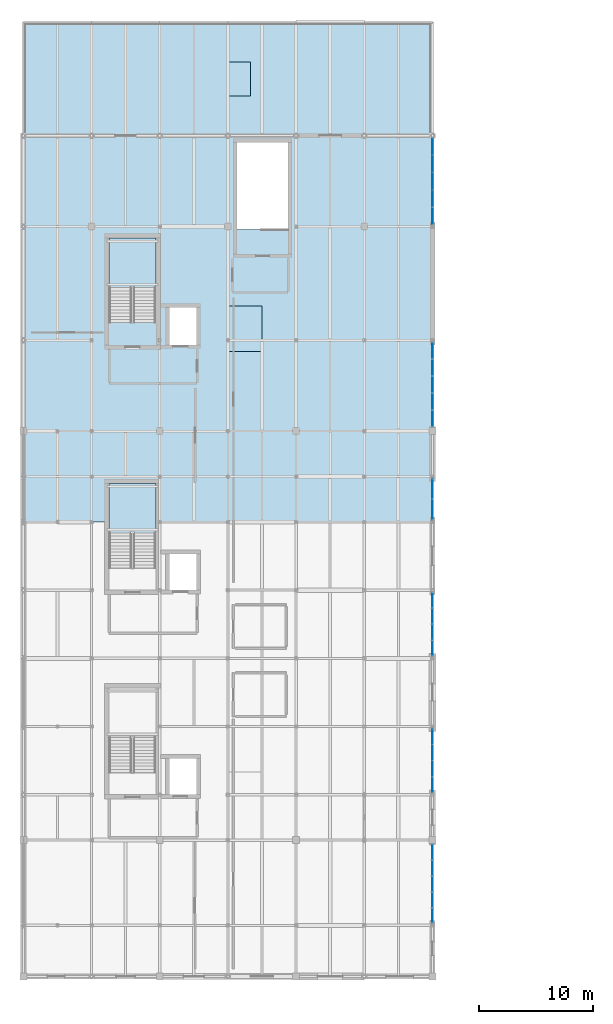
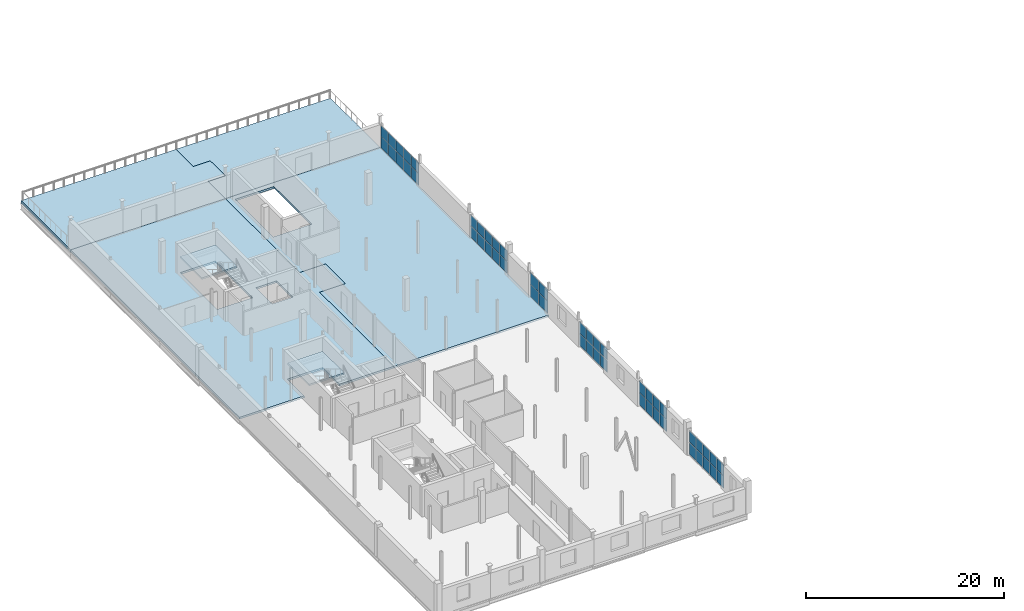
# One storey, part 24 of 35: 50 plates, 6 slabs, 8 elements without a shape of their own.
"""IFC4 building model written with IfcOpenShell, lengths in metres."""

from ifc_helpers import new_model, si_unit, direction, frame, origin, origin_2d, place, context, subcontext, project, spatial, polyline, rectangle, outline, extrude, material, layer, layer_set, type_object, element, aggregate, save


model = new_model("IFC4")

# Units and contexts
model_context = context("Model", 3, precision=1e-05, world=origin(), true_north=direction((0.0, 1.0)))
body_context = subcontext(model_context, "Body", "Model", "MODEL_VIEW")
ifc_project = project(units=[si_unit("LENGTHUNIT", "METRE"), si_unit("AREAUNIT", "SQUARE_METRE"), si_unit("VOLUMEUNIT", "CUBIC_METRE"), si_unit("PLANEANGLEUNIT", "RADIAN"), si_unit("MASSUNIT", "GRAM", prefix="KILO")], contexts=[model_context])

# Site, building, storey
site_placement = place(None, origin())
site = spatial("IfcSite", under=ifc_project, at=site_placement, CompositionType="ELEMENT")
building_placement = place(site_placement, origin())
building = spatial("IfcBuilding", under=site, at=building_placement, Name="Verrall Gate Interchange", CompositionType="ELEMENT")
storey_placement = place(building_placement, frame((0.0, 0.0, 15.39990234375)))
storey = spatial("IfcBuildingStorey", under=building, at=storey_placement, Name="L04", CompositionType="ELEMENT", Elevation=15.39990234375)

# Curtain wall, plates
ifc_material_1 = material(Name="Thermally Broken Anodized Aluminium Curtain Wall Framing", Category="aluminium")
curtain_wall_type_1 = type_object("IfcCurtainWallType", Name="CW-35 Unitized Curtain Wall 5682x3030", PredefinedType="NOTDEFINED", material=ifc_material_1)
curtain_wall_1_placement = place(storey_placement, origin())
curtain_wall_1 = element("IfcCurtainWall", 1, at=curtain_wall_1_placement, inside=storey, type_object=curtain_wall_type_1, Name="L04 Unitized Curtain Wall CW-L04-128", PredefinedType="NOTDEFINED")
ifc_material_2 = material(Name="Triple-Glazed Low-E Argon Insulated Curtain Panel (U=1.45)", Category="glass")
ifc_layer_1 = layer(ifc_material_2, 0.030029296875)
ifc_layer_set_1 = layer_set([ifc_layer_1], Name="Triple-Glazed Low-E Argon Insulated Curtain Panel (U=1.45)")
plate_type_1 = type_object("IfcPlateType", Name="CP-01 Curtain Glazing Panel 30", PredefinedType="CURTAIN_PANEL", material=ifc_layer_set_1)
plate_1_placement = place(storey_placement, frame((36.0, 16.885498046875, 0.0546875), z_axis=(0.0, 0.0, 1.0), x_axis=(0.0, 1.0, 0.0)))
plate_1 = element("IfcPlate", 2, at=plate_1_placement, type_object=plate_type_1, Name="CW-L04-128 Glazing Panel 1.1", PredefinedType="CURTAIN_PANEL", context=body_context, shape_type="SweptSolid", body=[
    extrude(rectangle(XDim=1.34375, YDim=0.030029296875, at=origin_2d()), origin(), (0.0, 0.0, 1.0), 1.498779296875),
])
plate_2_placement = place(storey_placement, frame((36.0, 16.885498046875, 1.59765625), z_axis=(0.0, 0.0, 1.0), x_axis=(0.0, 1.0, 0.0)))
plate_2 = element("IfcPlate", 3, at=plate_2_placement, type_object=plate_type_1, Name="CW-L04-128 Glazing Panel 1.2", PredefinedType="CURTAIN_PANEL", context=body_context, shape_type="SweptSolid", body=[
    extrude(rectangle(XDim=1.34375, YDim=0.030029296875, at=origin_2d()), origin(), (0.0, 0.0, 1.0), 1.377685546875),
])
plate_3_placement = place(storey_placement, frame((36.0, 18.289794921875, 0.0546875), z_axis=(0.0, 0.0, 1.0), x_axis=(0.0, 1.0, 0.0)))
plate_3 = element("IfcPlate", 4, at=plate_3_placement, type_object=plate_type_1, Name="CW-L04-128 Glazing Panel 2.1", PredefinedType="CURTAIN_PANEL", context=body_context, shape_type="SweptSolid", body=[
    extrude(rectangle(XDim=1.376220703125, YDim=0.030029296875, at=origin_2d()), origin(), (0.0, 0.0, 1.0), 1.498779296875),
])
plate_4_placement = place(storey_placement, frame((36.0, 18.289794921875, 1.59765625), z_axis=(0.0, 0.0, 1.0), x_axis=(0.0, 1.0, 0.0)))
plate_4 = element("IfcPlate", 5, at=plate_4_placement, type_object=plate_type_1, Name="CW-L04-128 Glazing Panel 2.2", PredefinedType="CURTAIN_PANEL", context=body_context, shape_type="SweptSolid", body=[
    extrude(rectangle(XDim=1.376220703125, YDim=0.030029296875, at=origin_2d()), origin(), (0.0, 0.0, 1.0), 1.377685546875),
])
plate_5_placement = place(storey_placement, frame((36.0, 19.710205078125, 0.0546875), z_axis=(0.0, 0.0, 1.0), x_axis=(0.0, 1.0, 0.0)))
plate_5 = element("IfcPlate", 6, at=plate_5_placement, type_object=plate_type_1, Name="CW-L04-128 Glazing Panel 3.1", PredefinedType="CURTAIN_PANEL", context=body_context, shape_type="SweptSolid", body=[
    extrude(rectangle(XDim=1.376220703125, YDim=0.030029296875, at=origin_2d()), origin(), (0.0, 0.0, 1.0), 1.498779296875),
])
plate_6_placement = place(storey_placement, frame((36.0, 19.710205078125, 1.59765625), z_axis=(0.0, 0.0, 1.0), x_axis=(0.0, 1.0, 0.0)))
plate_6 = element("IfcPlate", 7, at=plate_6_placement, type_object=plate_type_1, Name="CW-L04-128 Glazing Panel 3.2", PredefinedType="CURTAIN_PANEL", context=body_context, shape_type="SweptSolid", body=[
    extrude(rectangle(XDim=1.376220703125, YDim=0.030029296875, at=origin_2d()), origin(), (0.0, 0.0, 1.0), 1.377685546875),
])
plate_7_placement = place(storey_placement, frame((36.0, 21.114501953125, 0.0546875), z_axis=(0.0, 0.0, 1.0), x_axis=(0.0, 1.0, 0.0)))
plate_7 = element("IfcPlate", 8, at=plate_7_placement, type_object=plate_type_1, Name="CW-L04-128 Glazing Panel 4.1", PredefinedType="CURTAIN_PANEL", context=body_context, shape_type="SweptSolid", body=[
    extrude(rectangle(XDim=1.34375, YDim=0.030029296875, at=origin_2d()), origin(), (0.0, 0.0, 1.0), 1.498779296875),
])
plate_8_placement = place(storey_placement, frame((36.0, 21.114501953125, 1.59765625), z_axis=(0.0, 0.0, 1.0), x_axis=(0.0, 1.0, 0.0)))
plate_8 = element("IfcPlate", 9, at=plate_8_placement, type_object=plate_type_1, Name="CW-L04-128 Glazing Panel 4.2", PredefinedType="CURTAIN_PANEL", context=body_context, shape_type="SweptSolid", body=[
    extrude(rectangle(XDim=1.34375, YDim=0.030029296875, at=origin_2d()), origin(), (0.0, 0.0, 1.0), 1.377685546875),
])
aggregate(curtain_wall_1, [plate_1, plate_2, plate_3, plate_4, plate_5, plate_6, plate_7, plate_8])

curtain_wall_2_placement = place(storey_placement, origin())
curtain_wall_2 = element("IfcCurtainWall", 10, at=curtain_wall_2_placement, inside=storey, type_object=curtain_wall_type_1, Name="L04 Unitized Curtain Wall CW-L04-129", PredefinedType="NOTDEFINED")
plate_9_placement = place(storey_placement, frame((36.0, 28.887939453125, 0.06298828125), z_axis=(0.0, 0.0, 1.0), x_axis=(0.0, 1.0, 0.0)))
plate_9 = element("IfcPlate", 11, at=plate_9_placement, type_object=plate_type_1, Name="CW-L04-129 Glazing Panel 1.1", PredefinedType="CURTAIN_PANEL", context=body_context, shape_type="SweptSolid", body=[
    extrude(rectangle(XDim=1.33203125, YDim=0.030029296875, at=origin_2d()), origin(), (0.0, 0.0, 1.0), 1.487060546875),
])
plate_10_placement = place(storey_placement, frame((36.0, 28.887939453125, 1.60107421875), z_axis=(0.0, 0.0, 1.0), x_axis=(0.0, 1.0, 0.0)))
plate_10 = element("IfcPlate", 12, at=plate_10_placement, type_object=plate_type_1, Name="CW-L04-129 Glazing Panel 1.2", PredefinedType="CURTAIN_PANEL", context=body_context, shape_type="SweptSolid", body=[
    extrude(rectangle(XDim=1.33203125, YDim=0.030029296875, at=origin_2d()), origin(), (0.0, 0.0, 1.0), 1.365966796875),
])
plate_11_placement = place(storey_placement, frame((36.0, 30.289794921875, 0.06298828125), z_axis=(0.0, 0.0, 1.0), x_axis=(0.0, 1.0, 0.0)))
plate_11 = element("IfcPlate", 13, at=plate_11_placement, type_object=plate_type_1, Name="CW-L04-129 Glazing Panel 2.1", PredefinedType="CURTAIN_PANEL", context=body_context, shape_type="SweptSolid", body=[
    extrude(rectangle(XDim=1.369384765625, YDim=0.030029296875, at=origin_2d()), origin(), (0.0, 0.0, 1.0), 1.487060546875),
])
plate_12_placement = place(storey_placement, frame((36.0, 30.289794921875, 1.60107421875), z_axis=(0.0, 0.0, 1.0), x_axis=(0.0, 1.0, 0.0)))
plate_12 = element("IfcPlate", 14, at=plate_12_placement, type_object=plate_type_1, Name="CW-L04-129 Glazing Panel 2.2", PredefinedType="CURTAIN_PANEL", context=body_context, shape_type="SweptSolid", body=[
    extrude(rectangle(XDim=1.369384765625, YDim=0.030029296875, at=origin_2d()), origin(), (0.0, 0.0, 1.0), 1.365966796875),
])
plate_13_placement = place(storey_placement, frame((36.0, 31.710205078125, 0.06298828125), z_axis=(0.0, 0.0, 1.0), x_axis=(0.0, 1.0, 0.0)))
plate_13 = element("IfcPlate", 15, at=plate_13_placement, type_object=plate_type_1, Name="CW-L04-129 Glazing Panel 3.1", PredefinedType="CURTAIN_PANEL", context=body_context, shape_type="SweptSolid", body=[
    extrude(rectangle(XDim=1.369384765625, YDim=0.030029296875, at=origin_2d()), origin(), (0.0, 0.0, 1.0), 1.487060546875),
])
plate_14_placement = place(storey_placement, frame((36.0, 31.710205078125, 1.60107421875), z_axis=(0.0, 0.0, 1.0), x_axis=(0.0, 1.0, 0.0)))
plate_14 = element("IfcPlate", 16, at=plate_14_placement, type_object=plate_type_1, Name="CW-L04-129 Glazing Panel 3.2", PredefinedType="CURTAIN_PANEL", context=body_context, shape_type="SweptSolid", body=[
    extrude(rectangle(XDim=1.369384765625, YDim=0.030029296875, at=origin_2d()), origin(), (0.0, 0.0, 1.0), 1.365966796875),
])
plate_15_placement = place(storey_placement, frame((36.0, 33.112060546875, 0.06298828125), z_axis=(0.0, 0.0, 1.0), x_axis=(0.0, 1.0, 0.0)))
plate_15 = element("IfcPlate", 17, at=plate_15_placement, type_object=plate_type_1, Name="CW-L04-129 Glazing Panel 4.1", PredefinedType="CURTAIN_PANEL", context=body_context, shape_type="SweptSolid", body=[
    extrude(rectangle(XDim=1.33203125, YDim=0.030029296875, at=origin_2d()), origin(), (0.0, 0.0, 1.0), 1.487060546875),
])
plate_16_placement = place(storey_placement, frame((36.0, 33.112060546875, 1.60107421875), z_axis=(0.0, 0.0, 1.0), x_axis=(0.0, 1.0, 0.0)))
plate_16 = element("IfcPlate", 18, at=plate_16_placement, type_object=plate_type_1, Name="CW-L04-129 Glazing Panel 4.2", PredefinedType="CURTAIN_PANEL", context=body_context, shape_type="SweptSolid", body=[
    extrude(rectangle(XDim=1.33203125, YDim=0.030029296875, at=origin_2d()), origin(), (0.0, 0.0, 1.0), 1.365966796875),
])
aggregate(curtain_wall_2, [plate_9, plate_10, plate_11, plate_12, plate_13, plate_14, plate_15, plate_16])

ifc_material_3 = material(Name="Thermally Broken Anodized Aluminium Curtain Wall Framing", Category="aluminium")
curtain_wall_type_2 = type_object("IfcCurtainWallType", Name="CW-34 Unitized Curtain Wall 7682x2880", PredefinedType="NOTDEFINED", material=ifc_material_3)
curtain_wall_3_placement = place(storey_placement, origin())
curtain_wall_3 = element("IfcCurtainWall", 19, at=curtain_wall_3_placement, inside=storey, type_object=curtain_wall_type_2, Name="L04 Unitized Curtain Wall CW-L04-132", PredefinedType="NOTDEFINED")
plate_17_placement = place(storey_placement, frame((36.0, 66.943603515625, 0.0546875), z_axis=(0.0, 0.0, 1.0), x_axis=(0.0, 1.0, 0.0)))
plate_17 = element("IfcPlate", 20, at=plate_17_placement, type_object=plate_type_1, Name="CW-L04-132 Glazing Panel 1.1", PredefinedType="CURTAIN_PANEL", context=body_context, shape_type="SweptSolid", body=[
    extrude(rectangle(XDim=1.459716796875, YDim=0.030029296875, at=origin_2d()), origin(), (0.0, 0.0, 1.0), 1.4208984375),
])
plate_18_placement = place(storey_placement, frame((36.0, 66.943603515625, 1.519775390625), z_axis=(0.0, 0.0, 1.0), x_axis=(0.0, 1.0, 0.0)))
plate_18 = element("IfcPlate", 21, at=plate_18_placement, type_object=plate_type_1, Name="CW-L04-132 Glazing Panel 1.2", PredefinedType="CURTAIN_PANEL", context=body_context, shape_type="SweptSolid", body=[
    extrude(rectangle(XDim=1.459716796875, YDim=0.030029296875, at=origin_2d()), origin(), (0.0, 0.0, 1.0), 1.3056640625),
])
plate_19_placement = place(storey_placement, frame((36.0, 68.463623046875, 0.0546875), z_axis=(0.0, 0.0, 1.0), x_axis=(0.0, 1.0, 0.0)))
plate_19 = element("IfcPlate", 22, at=plate_19_placement, type_object=plate_type_1, Name="CW-L04-132 Glazing Panel 2.1", PredefinedType="CURTAIN_PANEL", context=body_context, shape_type="SweptSolid", body=[
    extrude(rectangle(XDim=1.4921875, YDim=0.030029296875, at=origin_2d()), origin(), (0.0, 0.0, 1.0), 1.4208984375),
])
plate_20_placement = place(storey_placement, frame((36.0, 68.463623046875, 1.519775390625), z_axis=(0.0, 0.0, 1.0), x_axis=(0.0, 1.0, 0.0)))
plate_20 = element("IfcPlate", 23, at=plate_20_placement, type_object=plate_type_1, Name="CW-L04-132 Glazing Panel 2.2", PredefinedType="CURTAIN_PANEL", context=body_context, shape_type="SweptSolid", body=[
    extrude(rectangle(XDim=1.4921875, YDim=0.030029296875, at=origin_2d()), origin(), (0.0, 0.0, 1.0), 1.3056640625),
])
plate_21_placement = place(storey_placement, frame((36.0, 70.0, 0.0546875), z_axis=(0.0, 0.0, 1.0), x_axis=(0.0, 1.0, 0.0)))
plate_21 = element("IfcPlate", 24, at=plate_21_placement, type_object=plate_type_1, Name="CW-L04-132 Glazing Panel 3.1", PredefinedType="CURTAIN_PANEL", context=body_context, shape_type="SweptSolid", body=[
    extrude(rectangle(XDim=1.4921875, YDim=0.030029296875, at=origin_2d()), origin(), (0.0, 0.0, 1.0), 1.4208984375),
])
plate_22_placement = place(storey_placement, frame((36.0, 70.0, 1.519775390625), z_axis=(0.0, 0.0, 1.0), x_axis=(0.0, 1.0, 0.0)))
plate_22 = element("IfcPlate", 25, at=plate_22_placement, type_object=plate_type_1, Name="CW-L04-132 Glazing Panel 3.2", PredefinedType="CURTAIN_PANEL", context=body_context, shape_type="SweptSolid", body=[
    extrude(rectangle(XDim=1.4921875, YDim=0.030029296875, at=origin_2d()), origin(), (0.0, 0.0, 1.0), 1.3056640625),
])
plate_23_placement = place(storey_placement, frame((36.0, 71.536376953125, 0.0546875), z_axis=(0.0, 0.0, 1.0), x_axis=(0.0, 1.0, 0.0)))
plate_23 = element("IfcPlate", 26, at=plate_23_placement, type_object=plate_type_1, Name="CW-L04-132 Glazing Panel 4.1", PredefinedType="CURTAIN_PANEL", context=body_context, shape_type="SweptSolid", body=[
    extrude(rectangle(XDim=1.4921875, YDim=0.030029296875, at=origin_2d()), origin(), (0.0, 0.0, 1.0), 1.4208984375),
])
plate_24_placement = place(storey_placement, frame((36.0, 71.536376953125, 1.519775390625), z_axis=(0.0, 0.0, 1.0), x_axis=(0.0, 1.0, 0.0)))
plate_24 = element("IfcPlate", 27, at=plate_24_placement, type_object=plate_type_1, Name="CW-L04-132 Glazing Panel 4.2", PredefinedType="CURTAIN_PANEL", context=body_context, shape_type="SweptSolid", body=[
    extrude(rectangle(XDim=1.4921875, YDim=0.030029296875, at=origin_2d()), origin(), (0.0, 0.0, 1.0), 1.3056640625),
])
plate_25_placement = place(storey_placement, frame((36.0, 73.056640625, 0.0546875), z_axis=(0.0, 0.0, 1.0), x_axis=(0.0, 1.0, 0.0)))
plate_25 = element("IfcPlate", 28, at=plate_25_placement, type_object=plate_type_1, Name="CW-L04-132 Glazing Panel 5.1", PredefinedType="CURTAIN_PANEL", context=body_context, shape_type="SweptSolid", body=[
    extrude(rectangle(XDim=1.459716796875, YDim=0.030029296875, at=origin_2d()), origin(), (0.0, 0.0, 1.0), 1.4208984375),
])
plate_26_placement = place(storey_placement, frame((36.0, 73.056640625, 1.519775390625), z_axis=(0.0, 0.0, 1.0), x_axis=(0.0, 1.0, 0.0)))
plate_26 = element("IfcPlate", 29, at=plate_26_placement, type_object=plate_type_1, Name="CW-L04-132 Glazing Panel 5.2", PredefinedType="CURTAIN_PANEL", context=body_context, shape_type="SweptSolid", body=[
    extrude(rectangle(XDim=1.459716796875, YDim=0.030029296875, at=origin_2d()), origin(), (0.0, 0.0, 1.0), 1.3056640625),
])
aggregate(curtain_wall_3, [plate_17, plate_18, plate_19, plate_20, plate_21, plate_22, plate_23, plate_24, plate_25, plate_26])

ifc_material_4 = material(Name="Thermally Broken Anodized Aluminium Curtain Wall Framing", Category="aluminium")
curtain_wall_type_3 = type_object("IfcCurtainWallType", Name="CW-40 Unitized Curtain Wall 7009x3030", PredefinedType="NOTDEFINED", material=ifc_material_4)
curtain_wall_4_placement = place(storey_placement, origin())
curtain_wall_4 = element("IfcCurtainWall", 30, at=curtain_wall_4_placement, inside=storey, type_object=curtain_wall_type_3, Name="L04 Unitized Curtain Wall CW-L04-127", PredefinedType="NOTDEFINED")
ifc_material_5 = material(Name="Triple-Glazed Low-E Argon Insulated Curtain Panel (U=1.45)", Category="glass")
ifc_layer_2 = layer(ifc_material_5, 0.0400390625)
ifc_layer_set_2 = layer_set([ifc_layer_2], Name="Triple-Glazed Low-E Argon Insulated Curtain Panel (U=1.45)")
plate_type_2 = type_object("IfcPlateType", Name="CP-02 Curtain Glazing Panel 40", PredefinedType="CURTAIN_PANEL", material=ifc_layer_set_2)
plate_27_placement = place(storey_placement, frame((36.0, 5.378662109375, 0.06298828125), z_axis=(0.0, 0.0, 1.0), x_axis=(0.0, 1.0, 0.0)))
plate_27 = element("IfcPlate", 31, at=plate_27_placement, type_object=plate_type_2, Name="CW-L04-127 Glazing Panel 1.1", PredefinedType="CURTAIN_PANEL", context=body_context, shape_type="SweptSolid", body=[
    extrude(rectangle(XDim=1.313232421875, YDim=0.0400390625, at=origin_2d()), origin(), (0.0, 0.0, 1.0), 1.487060546875),
])
plate_28_placement = place(storey_placement, frame((36.0, 5.378662109375, 1.60107421875), z_axis=(0.0, 0.0, 1.0), x_axis=(0.0, 1.0, 0.0)))
plate_28 = element("IfcPlate", 32, at=plate_28_placement, type_object=plate_type_2, Name="CW-L04-127 Glazing Panel 1.2", PredefinedType="CURTAIN_PANEL", context=body_context, shape_type="SweptSolid", body=[
    extrude(rectangle(XDim=1.313232421875, YDim=0.0400390625, at=origin_2d()), origin(), (0.0, 0.0, 1.0), 1.365966796875),
])
plate_29_placement = place(storey_placement, frame((36.0, 6.76171875, 0.06298828125), z_axis=(0.0, 0.0, 1.0), x_axis=(0.0, 1.0, 0.0)))
plate_29 = element("IfcPlate", 33, at=plate_29_placement, type_object=plate_type_2, Name="CW-L04-127 Glazing Panel 2.1", PredefinedType="CURTAIN_PANEL", context=body_context, shape_type="SweptSolid", body=[
    extrude(rectangle(XDim=1.350830078125, YDim=0.0400390625, at=origin_2d()), origin(), (0.0, 0.0, 1.0), 1.487060546875),
])
plate_30_placement = place(storey_placement, frame((36.0, 6.76171875, 1.60107421875), z_axis=(0.0, 0.0, 1.0), x_axis=(0.0, 1.0, 0.0)))
plate_30 = element("IfcPlate", 34, at=plate_30_placement, type_object=plate_type_2, Name="CW-L04-127 Glazing Panel 2.2", PredefinedType="CURTAIN_PANEL", context=body_context, shape_type="SweptSolid", body=[
    extrude(rectangle(XDim=1.350830078125, YDim=0.0400390625, at=origin_2d()), origin(), (0.0, 0.0, 1.0), 1.365966796875),
])
plate_31_placement = place(storey_placement, frame((36.0, 8.16357421875, 0.06298828125), z_axis=(0.0, 0.0, 1.0), x_axis=(0.0, 1.0, 0.0)))
plate_31 = element("IfcPlate", 35, at=plate_31_placement, type_object=plate_type_2, Name="CW-L04-127 Glazing Panel 3.1", PredefinedType="CURTAIN_PANEL", context=body_context, shape_type="SweptSolid", body=[
    extrude(rectangle(XDim=1.350830078125, YDim=0.0400390625, at=origin_2d()), origin(), (0.0, 0.0, 1.0), 1.487060546875),
])
plate_32_placement = place(storey_placement, frame((36.0, 8.16357421875, 1.60107421875), z_axis=(0.0, 0.0, 1.0), x_axis=(0.0, 1.0, 0.0)))
plate_32 = element("IfcPlate", 36, at=plate_32_placement, type_object=plate_type_2, Name="CW-L04-127 Glazing Panel 3.2", PredefinedType="CURTAIN_PANEL", context=body_context, shape_type="SweptSolid", body=[
    extrude(rectangle(XDim=1.350830078125, YDim=0.0400390625, at=origin_2d()), origin(), (0.0, 0.0, 1.0), 1.365966796875),
])
plate_33_placement = place(storey_placement, frame((36.0, 9.565185546875, 0.06298828125), z_axis=(0.0, 0.0, 1.0), x_axis=(0.0, 1.0, 0.0)))
plate_33 = element("IfcPlate", 37, at=plate_33_placement, type_object=plate_type_2, Name="CW-L04-127 Glazing Panel 4.1", PredefinedType="CURTAIN_PANEL", context=body_context, shape_type="SweptSolid", body=[
    extrude(rectangle(XDim=1.350830078125, YDim=0.0400390625, at=origin_2d()), origin(), (0.0, 0.0, 1.0), 1.487060546875),
])
plate_34_placement = place(storey_placement, frame((36.0, 9.565185546875, 1.60107421875), z_axis=(0.0, 0.0, 1.0), x_axis=(0.0, 1.0, 0.0)))
plate_34 = element("IfcPlate", 38, at=plate_34_placement, type_object=plate_type_2, Name="CW-L04-127 Glazing Panel 4.2", PredefinedType="CURTAIN_PANEL", context=body_context, shape_type="SweptSolid", body=[
    extrude(rectangle(XDim=1.350830078125, YDim=0.0400390625, at=origin_2d()), origin(), (0.0, 0.0, 1.0), 1.365966796875),
])
plate_35_placement = place(storey_placement, frame((36.0, 10.9482421875, 0.06298828125), z_axis=(0.0, 0.0, 1.0), x_axis=(0.0, 1.0, 0.0)))
plate_35 = element("IfcPlate", 39, at=plate_35_placement, type_object=plate_type_2, Name="CW-L04-127 Glazing Panel 5.1", PredefinedType="CURTAIN_PANEL", context=body_context, shape_type="SweptSolid", body=[
    extrude(rectangle(XDim=1.313232421875, YDim=0.0400390625, at=origin_2d()), origin(), (0.0, 0.0, 1.0), 1.487060546875),
])
plate_36_placement = place(storey_placement, frame((36.0, 10.9482421875, 1.60107421875), z_axis=(0.0, 0.0, 1.0), x_axis=(0.0, 1.0, 0.0)))
plate_36 = element("IfcPlate", 40, at=plate_36_placement, type_object=plate_type_2, Name="CW-L04-127 Glazing Panel 5.2", PredefinedType="CURTAIN_PANEL", context=body_context, shape_type="SweptSolid", body=[
    extrude(rectangle(XDim=1.313232421875, YDim=0.0400390625, at=origin_2d()), origin(), (0.0, 0.0, 1.0), 1.365966796875),
])
aggregate(curtain_wall_4, [plate_27, plate_28, plate_29, plate_30, plate_31, plate_32, plate_33, plate_34, plate_35, plate_36])

ifc_material_6 = material(Name="Thermally Broken Anodized Aluminium Curtain Wall Framing", Category="aluminium")
curtain_wall_type_4 = type_object("IfcCurtainWallType", Name="CW-32 Unitized Curtain Wall 3682x3030", PredefinedType="NOTDEFINED", material=ifc_material_6)
curtain_wall_5_placement = place(storey_placement, origin())
curtain_wall_5 = element("IfcCurtainWall", 41, at=curtain_wall_5_placement, inside=storey, type_object=curtain_wall_type_4, Name="L04 Unitized Curtain Wall CW-L04-130", PredefinedType="NOTDEFINED")
plate_37_placement = place(storey_placement, frame((36.0, 41.095703125, 0.0546875), z_axis=(0.0, 0.0, 1.0), x_axis=(0.0, 1.0, 0.0)))
plate_37 = element("IfcPlate", 42, at=plate_37_placement, type_object=plate_type_2, Name="CW-L04-130 Glazing Panel 1.1", PredefinedType="CURTAIN_PANEL", context=body_context, shape_type="SweptSolid", body=[
    extrude(rectangle(XDim=1.764404296875, YDim=0.0400390625, at=origin_2d()), origin(), (0.0, 0.0, 1.0), 1.498779296875),
])
plate_38_placement = place(storey_placement, frame((36.0, 41.095703125, 1.59765625), z_axis=(0.0, 0.0, 1.0), x_axis=(0.0, 1.0, 0.0)))
plate_38 = element("IfcPlate", 43, at=plate_38_placement, type_object=plate_type_2, Name="CW-L04-130 Glazing Panel 1.2", PredefinedType="CURTAIN_PANEL", context=body_context, shape_type="SweptSolid", body=[
    extrude(rectangle(XDim=1.764404296875, YDim=0.0400390625, at=origin_2d()), origin(), (0.0, 0.0, 1.0), 1.377685546875),
])
plate_39_placement = place(storey_placement, frame((36.0, 42.904296875, 0.0546875), z_axis=(0.0, 0.0, 1.0), x_axis=(0.0, 1.0, 0.0)))
plate_39 = element("IfcPlate", 44, at=plate_39_placement, type_object=plate_type_2, Name="CW-L04-130 Glazing Panel 2.1", PredefinedType="CURTAIN_PANEL", context=body_context, shape_type="SweptSolid", body=[
    extrude(rectangle(XDim=1.764404296875, YDim=0.0400390625, at=origin_2d()), origin(), (0.0, 0.0, 1.0), 1.498779296875),
])
plate_40_placement = place(storey_placement, frame((36.0, 42.904296875, 1.59765625), z_axis=(0.0, 0.0, 1.0), x_axis=(0.0, 1.0, 0.0)))
plate_40 = element("IfcPlate", 45, at=plate_40_placement, type_object=plate_type_2, Name="CW-L04-130 Glazing Panel 2.2", PredefinedType="CURTAIN_PANEL", context=body_context, shape_type="SweptSolid", body=[
    extrude(rectangle(XDim=1.764404296875, YDim=0.0400390625, at=origin_2d()), origin(), (0.0, 0.0, 1.0), 1.377685546875),
])
aggregate(curtain_wall_5, [plate_37, plate_38, plate_39, plate_40])

ifc_material_7 = material(Name="Thermally Broken Anodized Aluminium Curtain Wall Framing", Category="aluminium")
curtain_wall_type_5 = type_object("IfcCurtainWallType", Name="CW-33 Unitized Curtain Wall 7509x2880", PredefinedType="NOTDEFINED", material=ifc_material_7)
curtain_wall_6_placement = place(storey_placement, origin())
curtain_wall_6 = element("IfcCurtainWall", 46, at=curtain_wall_6_placement, inside=storey, type_object=curtain_wall_type_5, Name="L04 Unitized Curtain Wall CW-L04-131", PredefinedType="NOTDEFINED")
plate_41_placement = place(storey_placement, frame((36.0, 49.1015625, 0.06298828125), z_axis=(0.0, 0.0, 1.0), x_axis=(0.0, 1.0, 0.0)))
plate_41 = element("IfcPlate", 47, at=plate_41_placement, type_object=plate_type_2, Name="CW-L04-131 Glazing Panel 1.1", PredefinedType="CURTAIN_PANEL", context=body_context, shape_type="SweptSolid", body=[
    extrude(rectangle(XDim=1.413330078125, YDim=0.0400390625, at=origin_2d()), origin(), (0.0, 0.0, 1.0), 1.4091796875),
])
plate_42_placement = place(storey_placement, frame((36.0, 49.1015625, 1.523193359375), z_axis=(0.0, 0.0, 1.0), x_axis=(0.0, 1.0, 0.0)))
plate_42 = element("IfcPlate", 48, at=plate_42_placement, type_object=plate_type_2, Name="CW-L04-131 Glazing Panel 1.2", PredefinedType="CURTAIN_PANEL", context=body_context, shape_type="SweptSolid", body=[
    extrude(rectangle(XDim=1.413330078125, YDim=0.0400390625, at=origin_2d()), origin(), (0.0, 0.0, 1.0), 1.2939453125),
])
plate_43_placement = place(storey_placement, frame((36.0, 50.584716796875, 0.06298828125), z_axis=(0.0, 0.0, 1.0), x_axis=(0.0, 1.0, 0.0)))
plate_43 = element("IfcPlate", 49, at=plate_43_placement, type_object=plate_type_2, Name="CW-L04-131 Glazing Panel 2.1", PredefinedType="CURTAIN_PANEL", context=body_context, shape_type="SweptSolid", body=[
    extrude(rectangle(XDim=1.45068359375, YDim=0.0400390625, at=origin_2d()), origin(), (0.0, 0.0, 1.0), 1.4091796875),
])
plate_44_placement = place(storey_placement, frame((36.0, 50.584716796875, 1.523193359375), z_axis=(0.0, 0.0, 1.0), x_axis=(0.0, 1.0, 0.0)))
plate_44 = element("IfcPlate", 50, at=plate_44_placement, type_object=plate_type_2, Name="CW-L04-131 Glazing Panel 2.2", PredefinedType="CURTAIN_PANEL", context=body_context, shape_type="SweptSolid", body=[
    extrude(rectangle(XDim=1.45068359375, YDim=0.0400390625, at=origin_2d()), origin(), (0.0, 0.0, 1.0), 1.2939453125),
])
plate_45_placement = place(storey_placement, frame((36.0, 52.08642578125, 0.06298828125), z_axis=(0.0, 0.0, 1.0), x_axis=(0.0, 1.0, 0.0)))
plate_45 = element("IfcPlate", 51, at=plate_45_placement, type_object=plate_type_2, Name="CW-L04-131 Glazing Panel 3.1", PredefinedType="CURTAIN_PANEL", context=body_context, shape_type="SweptSolid", body=[
    extrude(rectangle(XDim=1.45068359375, YDim=0.0400390625, at=origin_2d()), origin(), (0.0, 0.0, 1.0), 1.4091796875),
])
plate_46_placement = place(storey_placement, frame((36.0, 52.08642578125, 1.523193359375), z_axis=(0.0, 0.0, 1.0), x_axis=(0.0, 1.0, 0.0)))
plate_46 = element("IfcPlate", 52, at=plate_46_placement, type_object=plate_type_2, Name="CW-L04-131 Glazing Panel 3.2", PredefinedType="CURTAIN_PANEL", context=body_context, shape_type="SweptSolid", body=[
    extrude(rectangle(XDim=1.45068359375, YDim=0.0400390625, at=origin_2d()), origin(), (0.0, 0.0, 1.0), 1.2939453125),
])
plate_47_placement = place(storey_placement, frame((36.0, 53.58837890625, 0.06298828125), z_axis=(0.0, 0.0, 1.0), x_axis=(0.0, 1.0, 0.0)))
plate_47 = element("IfcPlate", 53, at=plate_47_placement, type_object=plate_type_2, Name="CW-L04-131 Glazing Panel 4.1", PredefinedType="CURTAIN_PANEL", context=body_context, shape_type="SweptSolid", body=[
    extrude(rectangle(XDim=1.45068359375, YDim=0.0400390625, at=origin_2d()), origin(), (0.0, 0.0, 1.0), 1.4091796875),
])
plate_48_placement = place(storey_placement, frame((36.0, 53.58837890625, 1.523193359375), z_axis=(0.0, 0.0, 1.0), x_axis=(0.0, 1.0, 0.0)))
plate_48 = element("IfcPlate", 54, at=plate_48_placement, type_object=plate_type_2, Name="CW-L04-131 Glazing Panel 4.2", PredefinedType="CURTAIN_PANEL", context=body_context, shape_type="SweptSolid", body=[
    extrude(rectangle(XDim=1.45068359375, YDim=0.0400390625, at=origin_2d()), origin(), (0.0, 0.0, 1.0), 1.2939453125),
])
plate_49_placement = place(storey_placement, frame((36.0, 55.0712890625, 0.06298828125), z_axis=(0.0, 0.0, 1.0), x_axis=(0.0, 1.0, 0.0)))
plate_49 = element("IfcPlate", 55, at=plate_49_placement, type_object=plate_type_2, Name="CW-L04-131 Glazing Panel 5.1", PredefinedType="CURTAIN_PANEL", context=body_context, shape_type="SweptSolid", body=[
    extrude(rectangle(XDim=1.413330078125, YDim=0.0400390625, at=origin_2d()), origin(), (0.0, 0.0, 1.0), 1.4091796875),
])
plate_50_placement = place(storey_placement, frame((36.0, 55.0712890625, 1.523193359375), z_axis=(0.0, 0.0, 1.0), x_axis=(0.0, 1.0, 0.0)))
plate_50 = element("IfcPlate", 56, at=plate_50_placement, type_object=plate_type_2, Name="CW-L04-131 Glazing Panel 5.2", PredefinedType="CURTAIN_PANEL", context=body_context, shape_type="SweptSolid", body=[
    extrude(rectangle(XDim=1.413330078125, YDim=0.0400390625, at=origin_2d()), origin(), (0.0, 0.0, 1.0), 1.2939453125),
])
aggregate(curtain_wall_6, [plate_41, plate_42, plate_43, plate_44, plate_45, plate_46, plate_47, plate_48, plate_49, plate_50])

# Slabs
ifc_material_8 = material(Name="Concrete CSA A23.1 40 MPa (Class C-1)", Category="concrete")
ifc_layer_3 = layer(ifc_material_8, 0.320068359375)
ifc_layer_set_3 = layer_set([ifc_layer_3], Name="Concrete CSA A23.1 40 MPa (Class C-1)")
slab_type_1 = type_object("IfcSlabType", Name="FS-06 Floor Slab 320", PredefinedType="FLOOR", material=ifc_layer_set_3)
slab_1_placement = place(storey_placement, frame((0.0, 0.0, -0.31982421875)))
element("IfcSlab", 57, at=slab_1_placement, inside=storey, type_object=slab_type_1, Name="L04 Structural Slab SLB-L04-RG1A", PredefinedType="FLOOR", context=body_context, shape_type="SweptSolid", body=[
    extrude(outline(polyline([(0.0, 84.0), (18.0, 84.0), (18.0, 80.5), (20.0, 80.5), (20.0, 77.5), (18.0, 77.5), (18.0, 74.0), (0.0, 74.0), (0.0, 84.0)])), origin(), (0.0, 0.0, 1.0), 0.31982421875),
])
slab_2_placement = place(storey_placement, frame((0.0, 0.0, -0.31982421875)))
element("IfcSlab", 58, at=slab_2_placement, inside=storey, type_object=slab_type_1, Name="L04 Structural Slab SLB-L04-RG1B", PredefinedType="FLOOR", context=body_context, shape_type="SweptSolid", body=[
    extrude(outline(polyline([(36.0, 74.0), (18.0, 74.0), (18.0, 77.5), (20.0, 77.5), (20.0, 80.5), (18.0, 80.5), (18.0, 84.0), (36.0, 84.0), (36.0, 74.0)])), origin(), (0.0, 0.0, 1.0), 0.31982421875),
])
ifc_material_9 = material(Name="Concrete CSA A23.1 40 MPa (Class N)", Category="concrete")
ifc_layer_4 = layer(ifc_material_9, 0.239990234375)
ifc_layer_set_4 = layer_set([ifc_layer_4], Name="Concrete CSA A23.1 40 MPa (Class N)")
slab_type_2 = type_object("IfcSlabType", Name="FS-10 Floor Slab 240", PredefinedType="FLOOR", material=ifc_layer_set_4)
slab_3_placement = place(storey_placement, frame((0.0, 0.0, -0.239990234375)))
element("IfcSlab", 59, at=slab_3_placement, inside=storey, type_object=slab_type_2, Name="L04 Structural Slab SLB-L04-03", PredefinedType="FLOOR", context=body_context, shape_type="SweptSolid", body=[
    extrude(outline(polyline([(11.64990234375, 43.39990234375), (7.550048828125, 43.39990234375), (7.550048828125, 40.0), (0.0, 40.0), (0.0, 74.0), (18.0, 74.0), (18.0, 59.0), (21.0, 59.0), (21.0, 55.0), (18.0, 55.0), (18.0, 40.0), (11.64990234375, 40.0), (11.64990234375, 43.39990234375)]), holes=[polyline([(12.85009765625, 55.60009765625), (15.25, 55.60009765625), (15.25, 58.89990234375), (12.85009765625, 58.89990234375), (12.85009765625, 55.60009765625)]), polyline([(7.550048828125, 57.550048828125), (11.64990234375, 57.550048828125), (11.64990234375, 65.0), (7.550048828125, 65.0), (7.550048828125, 57.550048828125)])]), origin(), (0.0, 0.0, 1.0), 0.239990234375),
])
slab_4_placement = place(storey_placement, frame((0.0, 0.0, -0.239990234375)))
element("IfcSlab", 60, at=slab_4_placement, inside=storey, type_object=slab_type_2, Name="L04 Structural Slab SLB-L04-04", PredefinedType="FLOOR", context=body_context, shape_type="SweptSolid", body=[
    extrude(outline(polyline([(36.0, 40.0), (18.0, 40.0), (18.0, 55.0), (21.0, 55.0), (21.0, 59.0), (18.0, 59.0), (18.0, 74.0), (36.0, 74.0), (36.0, 40.0)]), holes=[polyline([(18.800048828125, 65.75), (23.300048828125, 65.75), (23.300048828125, 73.39990234375), (18.800048828125, 73.39990234375), (18.800048828125, 65.75)])]), origin(), (0.0, 0.0, 1.0), 0.239990234375),
])

# Stair, slab
ifc_material_10 = material(Name="Concrete CSA A23.1 40 MPa (Class N)", Category="concrete")
stair_type = type_object("IfcStairType", Name="ST-T04 Straight-Flight Return Exit Stair W1950 H4000", PredefinedType="STRAIGHT_RUN_STAIR", material=ifc_material_10)
stair_1_placement = place(storey_placement, origin())
stair_1 = element("IfcStair", 61, at=stair_1_placement, inside=storey, type_object=stair_type, Name="L04 ST-02", PredefinedType="STRAIGHT_RUN_STAIR")
ifc_material_11 = material(Name="Concrete CSA A23.1 40 MPa (Class N)", Category="concrete")
ifc_layer_5 = layer(ifc_material_11, 0.18994140625)
ifc_layer_set_5 = layer_set([ifc_layer_5], Name="Concrete CSA A23.1 40 MPa (Class N)")
slab_type_3 = type_object("IfcSlabType", Name="LS-01 Stair Landing Slab 190", PredefinedType="LANDING", material=ifc_layer_set_5)
slab_5_placement = place(storey_placement, frame((0.0, 0.0, 1.800048828125)))
slab_5 = element("IfcSlab", 62, at=slab_5_placement, type_object=slab_type_3, Name="ST-02 landing 1", PredefinedType="LANDING", context=body_context, shape_type="SweptSolid", body=[
    extrude(outline(polyline([(11.64990234375, 39.030029296875), (11.64990234375, 43.39990234375), (7.550048828125, 43.39990234375), (7.550048828125, 39.030029296875), (11.64990234375, 39.030029296875)])), origin(), (0.0, 0.0, 1.0), 0.199951171875),
])
aggregate(stair_1, [slab_5])

stair_2_placement = place(storey_placement, origin())
stair_2 = element("IfcStair", 63, at=stair_2_placement, inside=storey, type_object=stair_type, Name="L04 ST-03", PredefinedType="STRAIGHT_RUN_STAIR")
slab_6_placement = place(storey_placement, frame((0.0, 0.0, 1.800048828125)))
slab_6 = element("IfcSlab", 64, at=slab_6_placement, type_object=slab_type_3, Name="ST-03 landing 1", PredefinedType="LANDING", context=body_context, shape_type="SweptSolid", body=[
    extrude(outline(polyline([(11.64990234375, 60.6298828125), (11.64990234375, 65.0), (7.550048828125, 65.0), (7.550048828125, 60.6298828125), (11.64990234375, 60.6298828125)])), origin(), (0.0, 0.0, 1.0), 0.199951171875),
])
aggregate(stair_2, [slab_6])

save(model, "model.ifc")
